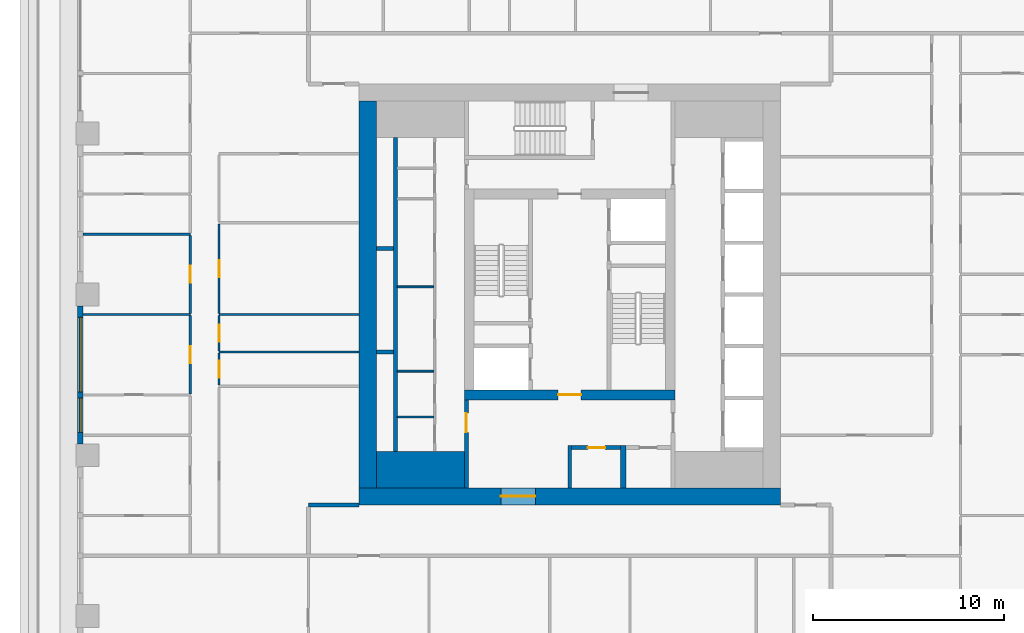
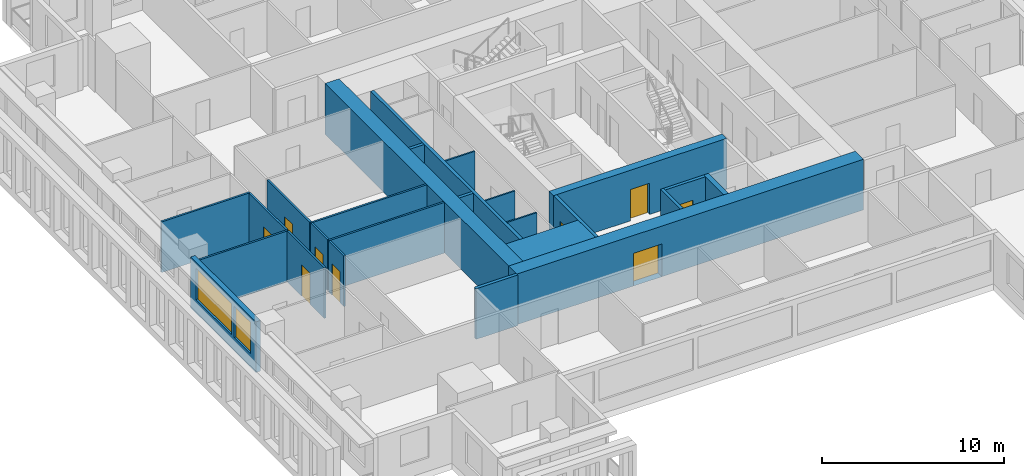
# One storey, part 3 of 14: 25 walls, 9 doors, 2 windows, 11 openings.
"""IFC4 building model written with IfcOpenShell, lengths in metres."""

from ifc_helpers import new_model, si_unit, direction, frame, frame_2d, origin, place, context, subcontext, project, spatial, rectangle, extrude, material, layer, layer_set, type_object, element, fill, save


model = new_model("IFC4")

# Units and contexts
model_context = context("Model", 3, precision=1e-05, world=origin(), true_north=direction((0.0, 1.0)))
body_context = subcontext(model_context, "Body", "Model", "MODEL_VIEW")
ifc_project = project(units=[si_unit("LENGTHUNIT", "METRE"), si_unit("AREAUNIT", "SQUARE_METRE"), si_unit("VOLUMEUNIT", "CUBIC_METRE"), si_unit("PLANEANGLEUNIT", "RADIAN"), si_unit("MASSUNIT", "GRAM", prefix="KILO")], contexts=[model_context])

# Site, building, storey
site_placement = place(None, origin())
site = spatial("IfcSite", under=ifc_project, at=site_placement, CompositionType="ELEMENT")
building_placement = place(site_placement, origin())
building = spatial("IfcBuilding", under=site, at=building_placement, Name="Khepri Terraces", CompositionType="ELEMENT")
storey_placement = place(building_placement, frame((0.0, 0.0, 283.5)))
storey = spatial("IfcBuildingStorey", under=building, at=storey_placement, Name="L68", CompositionType="ELEMENT", Elevation=283.5)

# Walls
ifc_material_1 = material(Name="Concrete C40/50", Category="concrete")
ifc_layer_1 = layer(ifc_material_1, 1.89990234375, Name="Concrete C40/50", Category="concrete")
ifc_layer_set_1 = layer_set([ifc_layer_1], Name="Concrete C40/50")
wall_type_1 = type_object("IfcWallType", Name="Core wall 1900 C40/50", PredefinedType="SHEAR", material=ifc_layer_set_1)
wall_1_placement = place(storey_placement, frame((-10.10009765625, -9.14990234375, 0.0), z_axis=(0.0, 0.0, 1.0), x_axis=(1.0, 0.0, 0.0)))
element("IfcWall", 1, at=wall_1_placement, inside=storey, type_object=wall_type_1, Name="Core wall PR01 L68", PredefinedType="SHEAR", context=body_context, shape_type="SweptSolid", body=[
    extrude(rectangle(XDim=4.60009765625, YDim=1.89990234375, at=frame_2d((2.300048828125, 0.0))), origin(), (0.0, 0.0, 1.0), 3.39990234375),
])
ifc_layer_2 = layer(ifc_material_1, 0.199951171875, Name="Concrete C40/50", Category="concrete")
ifc_layer_set_2 = layer_set([ifc_layer_2], Name="Concrete C40/50")
wall_type_2 = type_object("IfcWallType", Name="Core wall 200 C40/50", PredefinedType="SHEAR", material=ifc_layer_set_2)
wall_2_placement = place(storey_placement, frame((-9.10009765625, -8.199951171875, 0.0), z_axis=(0.0, 0.0, 1.0), x_axis=(0.0, 1.0, 0.0)))
element("IfcWall", 2, at=wall_2_placement, inside=storey, type_object=wall_type_2, Name="Core wall SH01 L68", PredefinedType="SHEAR", context=body_context, shape_type="SweptSolid", body=[
    extrude(rectangle(XDim=16.39990234375, YDim=0.199951171875, at=frame_2d((8.199951171875, 0.0))), origin(), (0.0, 0.0, 1.0), 3.39990234375),
])
for number, where, z_axis, x_axis, name in (
    (3, (-10.10009765625, -3.0, 0.0), (0.0, 0.0, 1.0), (1.0, 0.0, 0.0), "Core wall SH06 L68"),
    (4, (-10.10009765625, 2.39990234375, 0.0), (0.0, 0.0, 1.0), (1.0, 0.0, 0.0), "Core wall SH11 L68"),
):
    element("IfcWall", number, at=place(storey_placement, frame(where, z_axis=z_axis, x_axis=x_axis)), inside=storey, type_object=wall_type_2, Name=name, PredefinedType="SHEAR", context=body_context, shape_type="SweptSolid", body=[
        extrude(rectangle(XDim=0.900146484375, YDim=0.199951171875, at=frame_2d((0.4501953125, 0.0))), origin(), (0.0, 0.0, 1.0), 3.39990234375),
    ])

# Wall, opening, door
ifc_layer_3 = layer(ifc_material_1, 0.5, Name="Concrete C40/50", Category="concrete")
ifc_layer_set_3 = layer_set([ifc_layer_3], Name="Concrete C40/50")
wall_type_3 = type_object("IfcWallType", Name="Core wall 500 C40/50", PredefinedType="SHEAR", material=ifc_layer_set_3)
wall_3_placement = place(storey_placement, frame((-5.5, -5.25, 0.0), z_axis=(0.0, 0.0, 1.0), x_axis=(1.0, 0.0, 0.0)))
wall_3 = element("IfcWall", 5, at=wall_3_placement, inside=storey, type_object=wall_type_3, Name="Core wall BX01 L68", PredefinedType="SHEAR", context=body_context, shape_type="SweptSolid", body=[
    extrude(rectangle(XDim=11.0, YDim=0.5, at=frame_2d((5.5, 0.0))), origin(), (0.0, 0.0, 1.0), 3.39990234375),
])
opening_1_placement = place(wall_3_placement, frame((4.89990234375, 0.0, 0.0)))
opening_1 = element("IfcOpeningElement", 6, at=opening_1_placement, cuts=wall_3, Name="Opening L68-C14", PredefinedType="OPENING", context=body_context, shape_type="SweptSolid", body=[
    extrude(rectangle(XDim=1.199951171875, YDim=2.10009765625, at=frame_2d((0.60009765625, 1.050048828125))), frame((0.0, 0.260009765625, 0.0), z_axis=(0.0, -1.0, 0.0), x_axis=(1.0, 0.0, 0.0)), (0.0, 0.0, 1.0), 0.52001953125),
])
ifc_material_2 = material(Name="Painted steel", Category="steel")
door_type_1 = type_object("IfcDoorType", Name="DR-CORE-FF-LOBBY-1200", OperationType="NOTDEFINED", PredefinedType="DOOR", material=ifc_material_2)
door_1_placement = place(opening_1_placement, origin())
door_1 = element("IfcDoor", 7, at=door_1_placement, inside=storey, type_object=door_type_1, Name="Firefighting lobby door L68-C14", OperationType="SINGLE_SWING_RIGHT", OverallHeight=2.10009765625, OverallWidth=1.199951171875, PredefinedType="DOOR", context=body_context, shape_type="SweptSolid", body=[
    extrude(rectangle(XDim=1.199951171875, YDim=2.10009765625, at=frame_2d((0.60009765625, 1.050048828125))), frame((0.0, 0.02490234375, 0.0), z_axis=(0.0, -1.0, 0.0), x_axis=(1.0, 0.0, 0.0)), (0.0, 0.0, 1.0), 0.050048828125),
])
fill(opening_1, door_1)

ifc_layer_4 = layer(ifc_material_1, 0.89990234375, Name="Concrete C40/50", Category="concrete")
ifc_layer_set_4 = layer_set([ifc_layer_4], Name="Concrete C40/50")
wall_type_4 = type_object("IfcWallType", Name="Core wall 900 C40/50", PredefinedType="SHEAR", material=ifc_layer_set_4)
wall_4_placement = place(storey_placement, frame((-11.0, -10.550048828125, 0.0), z_axis=(0.0, 0.0, 1.0), x_axis=(1.0, 0.0, 0.0)))
wall_4 = element("IfcWall", 8, at=wall_4_placement, inside=storey, type_object=wall_type_4, Name="Core wall OW-S L68", PredefinedType="SHEAR", context=body_context, shape_type="SweptSolid", body=[
    extrude(rectangle(XDim=22.0, YDim=0.89990234375, at=frame_2d((11.0, 0.0))), origin(), (0.0, 0.0, 1.0), 3.39990234375),
])
opening_2_placement = place(wall_4_placement, frame((7.39990234375, 0.0, 0.0)))
opening_2 = element("IfcOpeningElement", 9, at=opening_2_placement, cuts=wall_4, Name="Opening L68-C21", PredefinedType="OPENING", context=body_context, shape_type="SweptSolid", body=[
    extrude(rectangle(XDim=1.800048828125, YDim=2.199951171875, at=frame_2d((0.89990234375, 1.10009765625))), frame((0.0, 0.4599609375, 0.0), z_axis=(0.0, -1.0, 0.0), x_axis=(1.0, 0.0, 0.0)), (0.0, 0.0, 1.0), 0.919921875),
])
door_type_2 = type_object("IfcDoorType", Name="DR-CORE-ENTRANCE-1800", OperationType="NOTDEFINED", PredefinedType="DOOR", material=ifc_material_2)
door_2_placement = place(opening_2_placement, frame((1.800048828125, 0.0, 0.0), z_axis=(0.0, 0.0, 1.0), x_axis=(-1.0, 0.0, 0.0)))
door_2 = element("IfcDoor", 10, at=door_2_placement, inside=storey, type_object=door_type_2, Name="Core entrance door pair L68-C21", OperationType="DOUBLE_DOOR_SINGLE_SWING", OverallHeight=2.199951171875, OverallWidth=1.800048828125, PredefinedType="DOOR", context=body_context, shape_type="SweptSolid", body=[
    extrude(rectangle(XDim=1.800048828125, YDim=2.199951171875, at=frame_2d((0.89990234375, 1.10009765625))), frame((0.0, 0.02490234375, 0.0), z_axis=(0.0, -1.0, 0.0), x_axis=(1.0, 0.0, 0.0)), (0.0, 0.0, 1.0), 0.050048828125),
])
fill(opening_2, door_2)

# Walls
wall_5_placement = place(storey_placement, frame((-10.550048828125, -10.10009765625, 0.0), z_axis=(0.0, 0.0, 1.0), x_axis=(0.0, 1.0, 0.0)))
element("IfcWall", 11, at=wall_5_placement, inside=storey, type_object=wall_type_4, Name="Core wall OW-W L68", PredefinedType="SHEAR", context=body_context, shape_type="SweptSolid", body=[
    extrude(rectangle(XDim=20.2001953125, YDim=0.89990234375, at=frame_2d((10.10009765625, 0.0))), origin(), (0.0, 0.0, 1.0), 3.39990234375),
])
ifc_material_3 = material(Name="Fire-rated gypsum board partition")
ifc_layer_5 = layer(ifc_material_3, 0.10009765625, Name="Fire-rated gypsum board partition")
ifc_layer_set_5 = layer_set([ifc_layer_5], Name="Fire-rated gypsum board partition")
wall_type_5 = type_object("IfcWallType", Name="WL-CORE-PART-100", PredefinedType="PARTITIONING", material=ifc_layer_set_5)
for number, where, z_axis, x_axis, name in (
    (12, (-9.0, -6.39990234375, 0.0), (0.0, 0.0, 1.0), (1.0, 0.0, 0.0), "Core partition PT08 L68"),
    (13, (-9.0, -4.0, 0.0), (0.0, 0.0, 1.0), (1.0, 0.0, 0.0), "Core partition PT09 L68"),
    (14, (-9.0, 0.39990234375, 0.0), (0.0, 0.0, 1.0), (1.0, 0.0, 0.0), "Core partition PT10 L68"),
):
    element("IfcWall", number, at=place(storey_placement, frame(where, z_axis=z_axis, x_axis=x_axis)), inside=storey, type_object=wall_type_5, Name=name, PredefinedType="PARTITIONING", context=body_context, shape_type="SweptSolid", body=[
        extrude(rectangle(XDim=1.89990234375, YDim=0.10009765625, at=frame_2d((0.949951171875, 0.0))), origin(), (0.0, 0.0, 1.0), 3.39990234375),
    ])

# Wall, opening, door
ifc_layer_6 = layer(ifc_material_3, 0.199951171875, Name="Fire-rated gypsum board partition")
ifc_layer_set_6 = layer_set([ifc_layer_6], Name="Fire-rated gypsum board partition")
wall_type_6 = type_object("IfcWallType", Name="WL-CORE-PART-200", PredefinedType="PARTITIONING", material=ifc_layer_set_6)
wall_6_placement = place(storey_placement, frame((-5.39990234375, -10.10009765625, 0.0), z_axis=(0.0, 0.0, 1.0), x_axis=(0.0, 1.0, 0.0)))
wall_6 = element("IfcWall", 15, at=wall_6_placement, inside=storey, type_object=wall_type_6, Name="Core partition PT01 L68", PredefinedType="PARTITIONING", context=body_context, shape_type="SweptSolid", body=[
    extrude(rectangle(XDim=4.60009765625, YDim=0.199951171875, at=frame_2d((2.300048828125, 0.0))), origin(), (0.0, 0.0, 1.0), 3.39990234375),
])
opening_3_placement = place(wall_6_placement, frame((2.89990234375, 0.0, 0.0)))
opening_3 = element("IfcOpeningElement", 16, at=opening_3_placement, cuts=wall_6, Name="Opening L68-C18", PredefinedType="OPENING", context=body_context, shape_type="SweptSolid", body=[
    extrude(rectangle(XDim=1.0, YDim=2.10009765625, at=frame_2d((0.5, 1.050048828125))), frame((0.0, 0.10986328125, 0.0), z_axis=(0.0, -1.0, 0.0), x_axis=(1.0, 0.0, 0.0)), (0.0, 0.0, 1.0), 0.219970703125),
])
door_type_3 = type_object("IfcDoorType", Name="DR-CORE-LOBBY-1000", OperationType="NOTDEFINED", PredefinedType="DOOR", material=ifc_material_2)
door_3_placement = place(opening_3_placement, frame((1.0, 0.0, 0.0), z_axis=(0.0, 0.0, 1.0), x_axis=(-1.0, 0.0, 0.0)))
door_3 = element("IfcDoor", 17, at=door_3_placement, inside=storey, type_object=door_type_3, Name="Lobby door L68-C18", OperationType="SINGLE_SWING_LEFT", OverallHeight=2.10009765625, OverallWidth=1.0, PredefinedType="DOOR", context=body_context, shape_type="SweptSolid", body=[
    extrude(rectangle(XDim=1.0, YDim=2.10009765625, at=frame_2d((0.5, 1.050048828125))), frame((0.0, 0.02490234375, 0.0), z_axis=(0.0, -1.0, 0.0), x_axis=(1.0, 0.0, 0.0)), (0.0, 0.0, 1.0), 0.050048828125),
])
fill(opening_3, door_3)

# Wall
wall_7_placement = place(storey_placement, frame((0.0, -10.10009765625, 0.0), z_axis=(0.0, 0.0, 1.0), x_axis=(0.0, 1.0, 0.0)))
element("IfcWall", 18, at=wall_7_placement, inside=storey, type_object=wall_type_6, Name="Core partition PT02 L68", PredefinedType="PARTITIONING", context=body_context, shape_type="SweptSolid", body=[
    extrude(rectangle(XDim=2.2001953125, YDim=0.199951171875, at=frame_2d((1.10009765625, 0.0))), origin(), (0.0, 0.0, 1.0), 3.39990234375),
])

# Wall, opening, door
wall_8_placement = place(storey_placement, frame((0.10009765625, -8.0, 0.0), z_axis=(0.0, 0.0, 1.0), x_axis=(1.0, 0.0, 0.0)))
wall_8 = element("IfcWall", 19, at=wall_8_placement, inside=storey, type_object=wall_type_6, Name="Core partition PT06 L68", PredefinedType="PARTITIONING", context=body_context, shape_type="SweptSolid", body=[
    extrude(rectangle(XDim=2.5498046875, YDim=0.199951171875, at=frame_2d((1.27490234375, 0.0))), origin(), (0.0, 0.0, 1.0), 3.39990234375),
])
opening_4_placement = place(wall_8_placement, frame((0.85009765625, 0.0, 0.0)))
opening_4 = element("IfcOpeningElement", 20, at=opening_4_placement, cuts=wall_8, Name="Opening L68-C22", PredefinedType="OPENING", context=body_context, shape_type="SweptSolid", body=[
    extrude(rectangle(XDim=0.89990234375, YDim=2.10009765625, at=frame_2d((0.449951171875, 1.050048828125))), frame((0.0, 0.10986328125, 0.0), z_axis=(0.0, -1.0, 0.0), x_axis=(1.0, 0.0, 0.0)), (0.0, 0.0, 1.0), 0.219970703125),
])
door_type_4 = type_object("IfcDoorType", Name="DR-CORE-SERVICE-900", OperationType="NOTDEFINED", PredefinedType="DOOR", material=ifc_material_2)
door_4_placement = place(opening_4_placement, frame((0.89990234375, 0.0, 0.0), z_axis=(0.0, 0.0, 1.0), x_axis=(-1.0, 0.0, 0.0)))
door_4 = element("IfcDoor", 21, at=door_4_placement, inside=storey, type_object=door_type_4, Name="Service room door L68-C22", OperationType="SINGLE_SWING_LEFT", OverallHeight=2.10009765625, OverallWidth=0.89990234375, PredefinedType="DOOR", context=body_context, shape_type="SweptSolid", body=[
    extrude(rectangle(XDim=0.89990234375, YDim=2.10009765625, at=frame_2d((0.449951171875, 1.050048828125))), frame((0.0, 0.02490234375, 0.0), z_axis=(0.0, -1.0, 0.0), x_axis=(1.0, 0.0, 0.0)), (0.0, 0.0, 1.0), 0.050048828125),
])
fill(opening_4, door_4)

# Walls
ifc_layer_7 = layer(ifc_material_3, 0.300048828125, Name="Fire-rated gypsum board partition")
ifc_layer_set_7 = layer_set([ifc_layer_7], Name="Fire-rated gypsum board partition")
wall_type_7 = type_object("IfcWallType", Name="WL-CORE-PART-300", PredefinedType="PARTITIONING", material=ifc_layer_set_7)
wall_9_placement = place(storey_placement, frame((2.800048828125, -10.10009765625, 0.0), z_axis=(0.0, 0.0, 1.0), x_axis=(0.0, 1.0, 0.0)))
element("IfcWall", 22, at=wall_9_placement, inside=storey, type_object=wall_type_7, Name="Core partition PT03 L68", PredefinedType="PARTITIONING", context=body_context, shape_type="SweptSolid", body=[
    extrude(rectangle(XDim=2.2001953125, YDim=0.300048828125, at=frame_2d((1.10009765625, 0.0))), origin(), (0.0, 0.0, 1.0), 3.39990234375),
])
ifc_material_4 = material(Name="Fire-rated gypsum plasterboard partition, mineral wool")
ifc_layer_8 = layer(ifc_material_4, 0.199951171875, Name="Fire-rated gypsum plasterboard partition, mineral wool")
ifc_layer_set_8 = layer_set([ifc_layer_8], Name="Fire-rated gypsum plasterboard partition, mineral wool")
wall_type_8 = type_object("IfcWallType", Name="WL-CORR-200", PredefinedType="PARTITIONING", material=ifc_layer_set_8)
wall_10_placement = place(storey_placement, frame((-13.64990234375, -11.0, 0.0), z_axis=(0.0, 0.0, 1.0), x_axis=(1.0, 0.0, 0.0)))
element("IfcWall", 23, at=wall_10_placement, inside=storey, type_object=wall_type_8, Name="Partition P-025 L68", PredefinedType="PARTITIONING", context=body_context, shape_type="SweptSolid", body=[
    extrude(rectangle(XDim=2.64990234375, YDim=0.199951171875, at=frame_2d((1.324951171875, 0.0))), origin(), (0.0, 0.0, 1.0), 3.39990234375),
])

# Wall, openings, windows
ifc_material_5 = material(Name="Precast concrete C50/60 warm stone", Category="masonry")
ifc_layer_9 = layer(ifc_material_5, 0.300048828125, Name="Precast concrete C50/60 warm stone", Category="masonry")
ifc_layer_set_9 = layer_set([ifc_layer_9], Name="Precast concrete C50/60 warm stone")
wall_type_9 = type_object("IfcWallType", Name="WL-EXT-PRECAST-300", PredefinedType="STANDARD", material=ifc_layer_set_9)
wall_11_placement = place(storey_placement, frame((-25.570068359375, -0.60009765625, 0.0), z_axis=(0.0, 0.0, 1.0), x_axis=(0.0, -1.0, 0.0)))
wall_11 = element("IfcWall", 24, at=wall_11_placement, inside=storey, type_object=wall_type_9, Name="External wall L68 W", PredefinedType="STANDARD", context=body_context, shape_type="SweptSolid", body=[
    extrude(rectangle(XDim=7.199951171875, YDim=0.300048828125, at=frame_2d((3.60009765625, 0.0))), origin(), (0.0, 0.0, 1.0), 3.39990234375),
])
opening_5_placement = place(wall_11_placement, frame((0.60009765625, 0.0, 0.89990234375)))
opening_5 = element("IfcOpeningElement", 25, at=opening_5_placement, cuts=wall_11, Name="Opening W2", PredefinedType="OPENING", context=body_context, shape_type="SweptSolid", body=[
    extrude(rectangle(XDim=3.89990234375, YDim=2.10009765625, at=frame_2d((1.949951171875, 1.050048828125))), frame((0.0, 0.16015625, 0.0), z_axis=(0.0, -1.0, 0.0), x_axis=(1.0, 0.0, 0.0)), (0.0, 0.0, 1.0), 0.320068359375),
])
opening_6_placement = place(wall_11_placement, frame((4.800048828125, 0.0, 0.89990234375)))
opening_6 = element("IfcOpeningElement", 26, at=opening_6_placement, cuts=wall_11, Name="Opening W1", PredefinedType="OPENING", context=body_context, shape_type="SweptSolid", body=[
    extrude(rectangle(XDim=1.800048828125, YDim=2.10009765625, at=frame_2d((0.89990234375, 1.050048828125))), frame((0.0, 0.16015625, 0.0), z_axis=(0.0, -1.0, 0.0), x_axis=(1.0, 0.0, 0.0)), (0.0, 0.0, 1.0), 0.320068359375),
])
ifc_material_6 = material(Name="Clear glass", Category="glass")
window_type_1 = type_object("IfcWindowType", Name="WIN-RES-1800x2100", PartitioningType="SINGLE_PANEL", PredefinedType="WINDOW", material=ifc_material_6)
window_1_placement = place(opening_6_placement, origin())
window_1 = element("IfcWindow", 27, at=window_1_placement, inside=storey, type_object=window_type_1, Name="Window L68 W", OverallHeight=2.10009765625, OverallWidth=1.800048828125, PartitioningType="SINGLE_PANEL", PredefinedType="WINDOW", context=body_context, shape_type="SweptSolid", body=[
    extrude(rectangle(XDim=1.800048828125, YDim=2.10009765625, at=frame_2d((0.89990234375, 1.050048828125))), frame((0.0, 0.030029296875, 0.0), z_axis=(0.0, -1.0, 0.0), x_axis=(1.0, 0.0, 0.0)), (0.0, 0.0, 1.0), 0.06005859375),
])
fill(opening_6, window_1)
window_type_2 = type_object("IfcWindowType", Name="WIN-RES-3900x2100", PartitioningType="SINGLE_PANEL", PredefinedType="WINDOW", material=ifc_material_6)
window_2_placement = place(opening_5_placement, origin())
window_2 = element("IfcWindow", 28, at=window_2_placement, inside=storey, type_object=window_type_2, Name="Window L68 W", OverallHeight=2.10009765625, OverallWidth=3.89990234375, PartitioningType="SINGLE_PANEL", PredefinedType="WINDOW", context=body_context, shape_type="SweptSolid", body=[
    extrude(rectangle(XDim=3.89990234375, YDim=2.10009765625, at=frame_2d((1.949951171875, 1.050048828125))), frame((0.0, 0.030029296875, 0.0), z_axis=(0.0, -1.0, 0.0), x_axis=(1.0, 0.0, 0.0)), (0.0, 0.0, 1.0), 0.06005859375),
])
fill(opening_5, window_2)

# Wall, opening, door
ifc_material_7 = material(Name="Gypsum plasterboard partition")
ifc_layer_10 = layer(ifc_material_7, 0.1201171875, Name="Gypsum plasterboard partition")
ifc_layer_set_10 = layer_set([ifc_layer_10], Name="Gypsum plasterboard partition")
wall_type_10 = type_object("IfcWallType", Name="WL-PART-120", PredefinedType="PARTITIONING", material=ifc_layer_set_10)
wall_12_placement = place(storey_placement, frame((-19.820068359375, -5.18994140625, 0.0), z_axis=(0.0, 0.0, 1.0), x_axis=(0.0, 1.0, 0.0)))
wall_12 = element("IfcWall", 29, at=wall_12_placement, inside=storey, type_object=wall_type_10, Name="Partition P-032 L68", PredefinedType="PARTITIONING", context=body_context, shape_type="SweptSolid", body=[
    extrude(rectangle(XDim=4.079833984375, YDim=0.1201171875, at=frame_2d((2.0400390625, 0.0))), origin(), (0.0, 0.0, 1.0), 3.39990234375),
])
opening_7_placement = place(wall_12_placement, frame((1.590087890625, 0.0, 0.0)))
opening_7 = element("IfcOpeningElement", 30, at=opening_7_placement, cuts=wall_12, Name="Opening D3", PredefinedType="OPENING", context=body_context, shape_type="SweptSolid", body=[
    extrude(rectangle(XDim=0.89990234375, YDim=2.10009765625, at=frame_2d((0.449951171875, 1.050048828125))), frame((0.0, 0.070068359375, 0.0), z_axis=(0.0, -1.0, 0.0), x_axis=(1.0, 0.0, 0.0)), (0.0, 0.0, 1.0), 0.14013671875),
])
ifc_material_8 = material(Name="Timber door leaf", Category="wood")
door_type_5 = type_object("IfcDoorType", Name="DR-INT-900", OperationType="NOTDEFINED", PredefinedType="DOOR", material=ifc_material_8)
door_5_placement = place(opening_7_placement, origin())
door_5 = element("IfcDoor", 31, at=door_5_placement, inside=storey, type_object=door_type_5, Name="Door Bedroom", OperationType="SINGLE_SWING_RIGHT", OverallHeight=2.10009765625, OverallWidth=0.89990234375, PredefinedType="DOOR", context=body_context, shape_type="SweptSolid", body=[
    extrude(rectangle(XDim=0.89990234375, YDim=2.10009765625, at=frame_2d((0.449951171875, 1.050048828125))), frame((0.0, 0.02490234375, 0.0), z_axis=(0.0, -1.0, 0.0), x_axis=(1.0, 0.0, 0.0)), (0.0, 0.0, 1.0), 0.050048828125),
])
fill(opening_7, door_5)

wall_13_placement = place(storey_placement, frame((-18.320068359375, -4.739990234375, 0.0), z_axis=(0.0, 0.0, 1.0), x_axis=(0.0, 1.0, 0.0)))
wall_13 = element("IfcWall", 32, at=wall_13_placement, inside=storey, type_object=wall_type_10, Name="Partition P-034 L68", PredefinedType="PARTITIONING", context=body_context, shape_type="SweptSolid", body=[
    extrude(rectangle(XDim=1.679931640625, YDim=0.1201171875, at=frame_2d((0.83984375, 0.0))), origin(), (0.0, 0.0, 1.0), 3.39990234375),
])
opening_8_placement = place(wall_13_placement, frame((0.389892578125, 0.0, 0.0)))
opening_8 = element("IfcOpeningElement", 33, at=opening_8_placement, cuts=wall_13, Name="Opening D4", PredefinedType="OPENING", context=body_context, shape_type="SweptSolid", body=[
    extrude(rectangle(XDim=0.89990234375, YDim=2.10009765625, at=frame_2d((0.449951171875, 1.050048828125))), frame((0.0, 0.070068359375, 0.0), z_axis=(0.0, -1.0, 0.0), x_axis=(1.0, 0.0, 0.0)), (0.0, 0.0, 1.0), 0.14013671875),
])
ifc_material_9 = material(Name="Timber door leaf, moisture resistant", Category="wood")
door_type_6 = type_object("IfcDoorType", Name="DR-WET-900", OperationType="NOTDEFINED", PredefinedType="DOOR", material=ifc_material_9)
door_6_placement = place(opening_8_placement, frame((0.89990234375, 0.0, 0.0), z_axis=(0.0, 0.0, 1.0), x_axis=(-1.0, 0.0, 0.0)))
door_6 = element("IfcDoor", 34, at=door_6_placement, inside=storey, type_object=door_type_6, Name="Door Guest Bathroom", OperationType="SINGLE_SWING_LEFT", OverallHeight=2.10009765625, OverallWidth=0.89990234375, PredefinedType="DOOR", context=body_context, shape_type="SweptSolid", body=[
    extrude(rectangle(XDim=0.89990234375, YDim=2.10009765625, at=frame_2d((0.449951171875, 1.050048828125))), frame((0.0, 0.02490234375, 0.0), z_axis=(0.0, -1.0, 0.0), x_axis=(1.0, 0.0, 0.0)), (0.0, 0.0, 1.0), 0.050048828125),
])
fill(opening_8, door_6)

# Wall
wall_14_placement = place(storey_placement, frame((-18.320068359375, -3.0, 0.0), z_axis=(0.0, 0.0, 1.0), x_axis=(1.0, 0.0, 0.0)))
element("IfcWall", 35, at=wall_14_placement, inside=storey, type_object=wall_type_10, Name="Partition P-039 L68", PredefinedType="PARTITIONING", context=body_context, shape_type="SweptSolid", body=[
    extrude(rectangle(XDim=7.320068359375, YDim=0.1201171875, at=frame_2d((3.66015625, 0.0))), origin(), (0.0, 0.0, 1.0), 3.39990234375),
])

# Wall, opening, door
wall_15_placement = place(storey_placement, frame((-18.320068359375, -2.93994140625, 0.0), z_axis=(0.0, 0.0, 1.0), x_axis=(0.0, 1.0, 0.0)))
wall_15 = element("IfcWall", 36, at=wall_15_placement, inside=storey, type_object=wall_type_10, Name="Partition P-040 L68", PredefinedType="PARTITIONING", context=body_context, shape_type="SweptSolid", body=[
    extrude(rectangle(XDim=1.829833984375, YDim=0.1201171875, at=frame_2d((0.9150390625, 0.0))), origin(), (0.0, 0.0, 1.0), 3.39990234375),
])
opening_9_placement = place(wall_15_placement, frame((0.465087890625, 0.0, 0.0)))
opening_9 = element("IfcOpeningElement", 37, at=opening_9_placement, cuts=wall_15, Name="Opening D4", PredefinedType="OPENING", context=body_context, shape_type="SweptSolid", body=[
    extrude(rectangle(XDim=0.89990234375, YDim=2.10009765625, at=frame_2d((0.449951171875, 1.050048828125))), frame((0.0, 0.070068359375, 0.0), z_axis=(0.0, -1.0, 0.0), x_axis=(1.0, 0.0, 0.0)), (0.0, 0.0, 1.0), 0.14013671875),
])
door_7_placement = place(opening_9_placement, frame((0.89990234375, 0.0, 0.0), z_axis=(0.0, 0.0, 1.0), x_axis=(-1.0, 0.0, 0.0)))
door_7 = element("IfcDoor", 38, at=door_7_placement, inside=storey, type_object=door_type_6, Name="Door Powder Room", OperationType="SINGLE_SWING_LEFT", OverallHeight=2.10009765625, OverallWidth=0.89990234375, PredefinedType="DOOR", context=body_context, shape_type="SweptSolid", body=[
    extrude(rectangle(XDim=0.89990234375, YDim=2.10009765625, at=frame_2d((0.449951171875, 1.050048828125))), frame((0.0, 0.02490234375, 0.0), z_axis=(0.0, -1.0, 0.0), x_axis=(1.0, 0.0, 0.0)), (0.0, 0.0, 1.0), 0.050048828125),
])
fill(opening_9, door_7)

# Walls
wall_16_placement = place(storey_placement, frame((-25.419921875, -1.050048828125, 0.0), z_axis=(0.0, 0.0, 1.0), x_axis=(1.0, 0.0, 0.0)))
element("IfcWall", 39, at=wall_16_placement, inside=storey, type_object=wall_type_10, Name="Partition P-041 L68", PredefinedType="PARTITIONING", context=body_context, shape_type="SweptSolid", body=[
    extrude(rectangle(XDim=5.599853515625, YDim=0.1201171875, at=frame_2d((2.7998046875, 0.0))), origin(), (0.0, 0.0, 1.0), 3.39990234375),
])
wall_17_placement = place(storey_placement, frame((-18.320068359375, -1.050048828125, 0.0), z_axis=(0.0, 0.0, 1.0), x_axis=(1.0, 0.0, 0.0)))
element("IfcWall", 40, at=wall_17_placement, inside=storey, type_object=wall_type_10, Name="Partition P-042 L68", PredefinedType="PARTITIONING", context=body_context, shape_type="SweptSolid", body=[
    extrude(rectangle(XDim=7.320068359375, YDim=0.1201171875, at=frame_2d((3.66015625, 0.0))), origin(), (0.0, 0.0, 1.0), 3.39990234375),
])

# Wall, opening, door
wall_18_placement = place(storey_placement, frame((-19.820068359375, -0.989990234375, 0.0), z_axis=(0.0, 0.0, 1.0), x_axis=(0.0, 1.0, 0.0)))
wall_18 = element("IfcWall", 41, at=wall_18_placement, inside=storey, type_object=wall_type_10, Name="Partition P-044 L68", PredefinedType="PARTITIONING", context=body_context, shape_type="SweptSolid", body=[
    extrude(rectangle(XDim=4.080078125, YDim=0.1201171875, at=frame_2d((2.0400390625, 0.0))), origin(), (0.0, 0.0, 1.0), 3.39990234375),
])
opening_10_placement = place(wall_18_placement, frame((1.590087890625, 0.0, 0.0)))
opening_10 = element("IfcOpeningElement", 42, at=opening_10_placement, cuts=wall_18, Name="Opening D3", PredefinedType="OPENING", context=body_context, shape_type="SweptSolid", body=[
    extrude(rectangle(XDim=0.89990234375, YDim=2.10009765625, at=frame_2d((0.449951171875, 1.050048828125))), frame((0.0, 0.070068359375, 0.0), z_axis=(0.0, -1.0, 0.0), x_axis=(1.0, 0.0, 0.0)), (0.0, 0.0, 1.0), 0.14013671875),
])
door_8_placement = place(opening_10_placement, origin())
door_8 = element("IfcDoor", 43, at=door_8_placement, inside=storey, type_object=door_type_5, Name="Door Home Office", OperationType="SINGLE_SWING_RIGHT", OverallHeight=2.10009765625, OverallWidth=0.89990234375, PredefinedType="DOOR", context=body_context, shape_type="SweptSolid", body=[
    extrude(rectangle(XDim=0.89990234375, YDim=2.10009765625, at=frame_2d((0.449951171875, 1.050048828125))), frame((0.0, 0.02490234375, 0.0), z_axis=(0.0, -1.0, 0.0), x_axis=(1.0, 0.0, 0.0)), (0.0, 0.0, 1.0), 0.050048828125),
])
fill(opening_10, door_8)

wall_19_placement = place(storey_placement, frame((-18.320068359375, -0.989990234375, 0.0), z_axis=(0.0, 0.0, 1.0), x_axis=(0.0, 1.0, 0.0)))
wall_19 = element("IfcWall", 44, at=wall_19_placement, inside=storey, type_object=wall_type_10, Name="Partition P-045 L68", PredefinedType="PARTITIONING", context=body_context, shape_type="SweptSolid", body=[
    extrude(rectangle(XDim=4.679931640625, YDim=0.1201171875, at=frame_2d((2.33984375, 0.0))), origin(), (0.0, 0.0, 1.0), 3.39990234375),
])
opening_11_placement = place(wall_19_placement, frame((1.889892578125, 0.0, 0.0)))
opening_11 = element("IfcOpeningElement", 45, at=opening_11_placement, cuts=wall_19, Name="Opening D3", PredefinedType="OPENING", context=body_context, shape_type="SweptSolid", body=[
    extrude(rectangle(XDim=0.89990234375, YDim=2.10009765625, at=frame_2d((0.449951171875, 1.050048828125))), frame((0.0, 0.070068359375, 0.0), z_axis=(0.0, -1.0, 0.0), x_axis=(1.0, 0.0, 0.0)), (0.0, 0.0, 1.0), 0.14013671875),
])
door_9_placement = place(opening_11_placement, frame((0.89990234375, 0.0, 0.0), z_axis=(0.0, 0.0, 1.0), x_axis=(-1.0, 0.0, 0.0)))
door_9 = element("IfcDoor", 46, at=door_9_placement, inside=storey, type_object=door_type_5, Name="Door Staff Bedroom", OperationType="SINGLE_SWING_LEFT", OverallHeight=2.10009765625, OverallWidth=0.89990234375, PredefinedType="DOOR", context=body_context, shape_type="SweptSolid", body=[
    extrude(rectangle(XDim=0.89990234375, YDim=2.10009765625, at=frame_2d((0.449951171875, 1.050048828125))), frame((0.0, 0.02490234375, 0.0), z_axis=(0.0, -1.0, 0.0), x_axis=(1.0, 0.0, 0.0)), (0.0, 0.0, 1.0), 0.050048828125),
])
fill(opening_11, door_9)

# Wall
wall_20_placement = place(storey_placement, frame((-25.419921875, 3.14990234375, 0.0), z_axis=(0.0, 0.0, 1.0), x_axis=(1.0, 0.0, 0.0)))
element("IfcWall", 47, at=wall_20_placement, inside=storey, type_object=wall_type_10, Name="Partition P-051 L68", PredefinedType="PARTITIONING", context=body_context, shape_type="SweptSolid", body=[
    extrude(rectangle(XDim=5.599853515625, YDim=0.1201171875, at=frame_2d((2.7998046875, 0.0))), origin(), (0.0, 0.0, 1.0), 3.39990234375),
])

save(model, "model.ifc")
